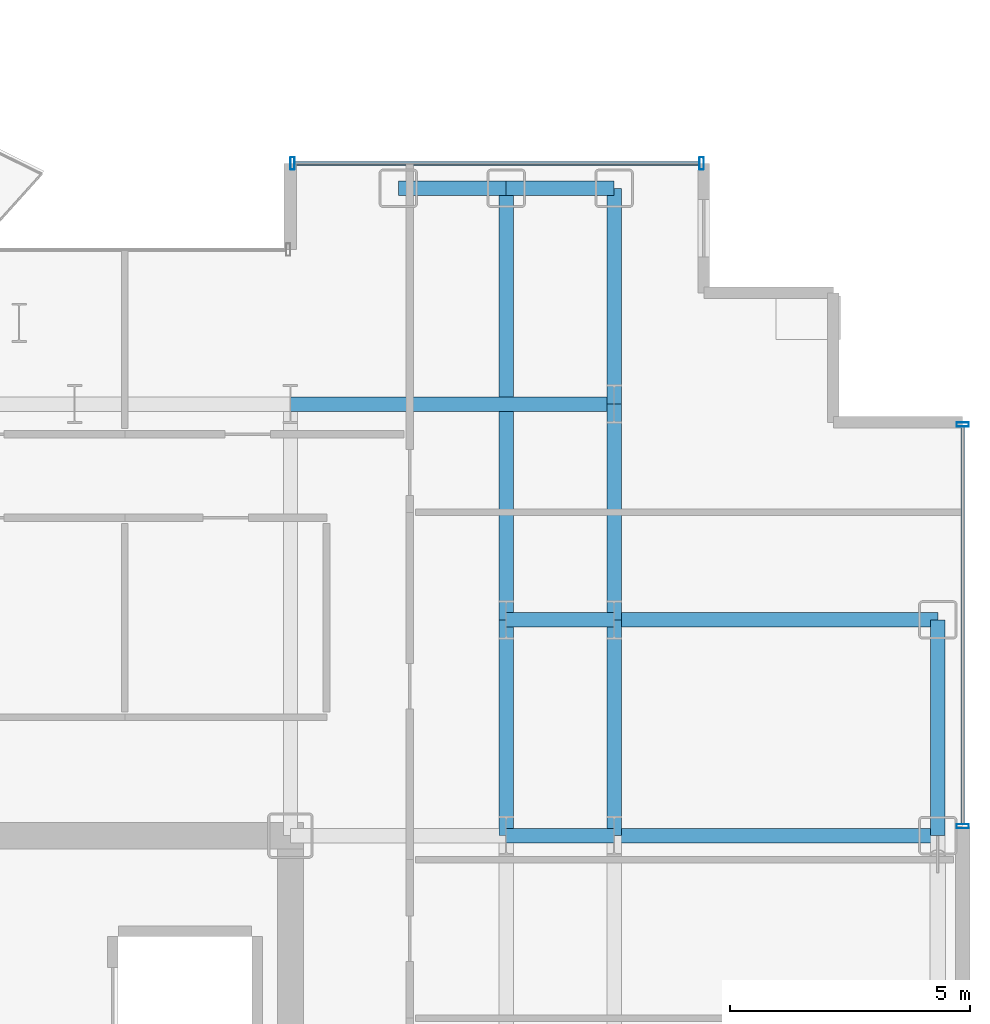
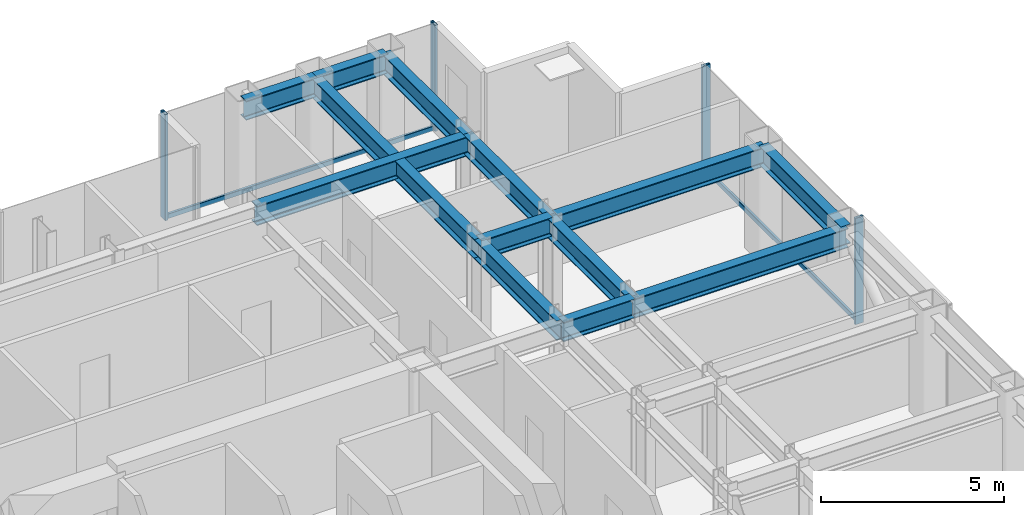
# One storey, part 16 of 26: 13 beams, 6 members, 2 elements without a shape of their own.
"""IFC4 building model written with IfcOpenShell, lengths in metres."""

from ifc_helpers import new_model, si_unit, direction, frame, origin, origin_2d, place, context, subcontext, project, spatial, hollow_rectangle, i_section, extrude, source, transform, mapped, material, layer, layer_set, material_profile, profile_set, type_object, element, aggregate, save


model = new_model("IFC4")

# Units and contexts
model_context = context("Model", 3, precision=1e-05, world=origin(), true_north=direction((0.0, 1.0)))
body_context = subcontext(model_context, "Body", "Model", "MODEL_VIEW")
ifc_project = project(units=[si_unit("LENGTHUNIT", "METRE"), si_unit("AREAUNIT", "SQUARE_METRE"), si_unit("VOLUMEUNIT", "CUBIC_METRE"), si_unit("PLANEANGLEUNIT", "RADIAN"), si_unit("MASSUNIT", "GRAM", prefix="KILO")], contexts=[model_context])

# Site, building, storey
site_placement = place(None, origin())
site = spatial("IfcSite", under=ifc_project, at=site_placement, CompositionType="ELEMENT")
building_placement = place(site_placement, origin())
building = spatial("IfcBuilding", under=site, at=building_placement, Name="Nefas-Gora Pilgrimage Tower", CompositionType="ELEMENT")
storey_placement = place(building_placement, frame((0.0, 0.0, 171.60009765625)))
storey = spatial("IfcBuildingStorey", under=building, at=storey_placement, Name="L42", CompositionType="ELEMENT", Elevation=171.60009765625)

# Beams
ifc_material_1 = material(Name="Steel S355", Category="steel")
ifc_material_profile_1 = material_profile(ifc_material_1, i_section(OverallWidth=0.300048828125, OverallDepth=0.64990234375, WebThickness=0.01611328125, FlangeThickness=0.031005859375, FilletRadius=0.027099609375, at=origin_2d()), Name="HEB 650")
ifc_profile_set_1 = profile_set([ifc_material_profile_1], Name="Steel S355")
beam_type_1 = type_object("IfcBeamType", Name="BM-SPN-HEB500", PredefinedType="SPANDREL", material=ifc_profile_set_1)
shared_shape_1 = source(origin(), body_context, "Body", "SweptSolid", [
    extrude(i_section(OverallWidth=0.300048828125, OverallDepth=0.64990234375, WebThickness=0.01611328125, FlangeThickness=0.031005859375, FilletRadius=0.027099609375, at=origin_2d()), origin(), (0.0, 0.0, 1.0), 4.5),
])
beam_1_placement = place(storey_placement, frame((24.75, 9.0, 3.224853515625), z_axis=(0.0, 1.0, 0.0), x_axis=(-1.0, 0.0, 0.0)))
element("IfcBeam", 1, at=beam_1_placement, inside=storey, type_object=beam_type_1, Name="L42 SP-02 beam", PredefinedType="SPANDREL", context=body_context, shape_type="MappedRepresentation", body=[
    mapped(shared_shape_1, transform((0.0, 0.0, 0.0), x_axis=(1.0, 0.0, 0.0), y_axis=(0.0, 1.0, 0.0), z_axis=(0.0, 0.0, 1.0), scale=1.0)),
])
ifc_material_profile_2 = material_profile(ifc_material_1, i_section(OverallWidth=0.300048828125, OverallDepth=0.64990234375, WebThickness=0.01611328125, FlangeThickness=0.031005859375, FilletRadius=0.027099609375, at=origin_2d()), Name="HEB 650")
ifc_profile_set_2 = profile_set([ifc_material_profile_2], Name="Steel S355")
beam_type_2 = type_object("IfcBeamType", Name="BM-GIR-HEB650", PredefinedType="BEAM", material=ifc_profile_set_2)
shared_shape_2 = source(origin(), body_context, "Body", "SweptSolid", [
    extrude(i_section(OverallWidth=0.300048828125, OverallDepth=0.64990234375, WebThickness=0.01611328125, FlangeThickness=0.031005859375, FilletRadius=0.027099609375, at=origin_2d()), origin(), (0.0, 0.0, 1.0), 9.0),
])
beam_2_placement = place(storey_placement, frame((15.75, 13.5, 3.224853515625), z_axis=(0.0, 1.0, 0.0), x_axis=(-1.0, 0.0, 0.0)))
element("IfcBeam", 2, at=beam_2_placement, inside=storey, type_object=beam_type_2, Name="L42 G-03 beam", PredefinedType="BEAM", context=body_context, shape_type="MappedRepresentation", body=[
    mapped(shared_shape_2, transform((0.0, 0.0, 0.0), x_axis=(1.0, 0.0, 0.0), y_axis=(0.0, 1.0, 0.0), z_axis=(0.0, 0.0, 1.0), scale=1.0)),
])
shared_shape_3 = source(origin(), body_context, "Body", "SweptSolid", [
    extrude(i_section(OverallWidth=0.300048828125, OverallDepth=0.64990234375, WebThickness=0.01611328125, FlangeThickness=0.031005859375, FilletRadius=0.027099609375, at=origin_2d()), origin(), (0.0, 0.0, 1.0), 4.5),
])
for number, where, z_axis, x_axis, name in (
    (3, (15.75, 9.0, 3.224853515625), (0.0, 1.0, 0.0), (-1.0, 0.0, 0.0), "L42 G-03 beam"),
    (4, (18.0, 9.0, 3.224853515625), (0.0, 1.0, 0.0), (-1.0, 0.0, 0.0), "L42 G-03 beam"),
    (5, (18.0, 13.5, 3.224853515625), (0.0, 1.0, 0.0), (-1.0, 0.0, 0.0), "L42 G-03 beam"),
    (6, (18.0, 18.0, 3.224853515625), (0.0, 1.0, 0.0), (-1.0, 0.0, 0.0), "L42 G-03 beam"),
):
    element("IfcBeam", number, at=place(storey_placement, frame(where, z_axis=z_axis, x_axis=x_axis)), inside=storey, type_object=beam_type_2, Name=name, PredefinedType="BEAM", context=body_context, shape_type="MappedRepresentation", body=[
        mapped(shared_shape_3, transform((0.0, 0.0, 0.0), x_axis=(1.0, 0.0, 0.0), y_axis=(0.0, 1.0, 0.0), z_axis=(0.0, 0.0, 1.0), scale=1.0)),
    ])
shared_shape_4 = source(origin(), body_context, "Body", "SweptSolid", [
    extrude(i_section(OverallWidth=0.300048828125, OverallDepth=0.64990234375, WebThickness=0.01611328125, FlangeThickness=0.031005859375, FilletRadius=0.027099609375, at=origin_2d()), origin(), (0.0, 0.0, 1.0), 6.75),
])
for number, where, z_axis, x_axis, name in (
    (7, (11.25, 18.0, 3.224853515625), (1.0, 0.0, 0.0), (0.0, 1.0, 0.0), "L42 G-03 beam"),
    (8, (18.0, 9.0, 3.224853515625), (1.0, 0.0, 0.0), (0.0, 1.0, 0.0), "L42 G-03 beam"),
    (9, (18.0, 13.5, 3.224853515625), (1.0, 0.0, 0.0), (0.0, 1.0, 0.0), "L42 G-03 beam"),
):
    element("IfcBeam", number, at=place(storey_placement, frame(where, z_axis=z_axis, x_axis=x_axis)), inside=storey, type_object=beam_type_2, Name=name, PredefinedType="BEAM", context=body_context, shape_type="MappedRepresentation", body=[
        mapped(shared_shape_4, transform((0.0, 0.0, 0.0), x_axis=(1.0, 0.0, 0.0), y_axis=(0.0, 1.0, 0.0), z_axis=(0.0, 0.0, 1.0), scale=1.0)),
    ])
shared_shape_5 = source(origin(), body_context, "Body", "SweptSolid", [
    extrude(i_section(OverallWidth=0.300048828125, OverallDepth=0.64990234375, WebThickness=0.01611328125, FlangeThickness=0.031005859375, FilletRadius=0.027099609375, at=origin_2d()), origin(), (0.0, 0.0, 1.0), 2.25),
])
for number, where, z_axis, x_axis, name in (
    (10, (13.5, 22.5, 3.224853515625), (1.0, 0.0, 0.0), (0.0, 1.0, 0.0), "L42 SP-02 beam"),
    (11, (15.75, 22.5, 3.224853515625), (1.0, 0.0, 0.0), (0.0, 1.0, 0.0), "L42 SP-02 beam"),
):
    element("IfcBeam", number, at=place(storey_placement, frame(where, z_axis=z_axis, x_axis=x_axis)), inside=storey, type_object=beam_type_1, Name=name, PredefinedType="SPANDREL", context=body_context, shape_type="MappedRepresentation", body=[
        mapped(shared_shape_5, transform((0.0, 0.0, 0.0), x_axis=(1.0, 0.0, 0.0), y_axis=(0.0, 1.0, 0.0), z_axis=(0.0, 0.0, 1.0), scale=1.0)),
    ])
shared_shape_6 = source(origin(), body_context, "Body", "SweptSolid", [
    extrude(i_section(OverallWidth=0.300048828125, OverallDepth=0.64990234375, WebThickness=0.01611328125, FlangeThickness=0.031005859375, FilletRadius=0.027099609375, at=origin_2d()), origin(), (0.0, 0.0, 1.0), 2.25),
])
for number, where, z_axis, x_axis, name in (
    (12, (15.75, 9.0, 3.224853515625), (1.0, 0.0, 0.0), (0.0, 1.0, 0.0), "L42 G-03 beam"),
    (13, (15.75, 13.5, 3.224853515625), (1.0, 0.0, 0.0), (0.0, 1.0, 0.0), "L42 G-03 beam"),
):
    element("IfcBeam", number, at=place(storey_placement, frame(where, z_axis=z_axis, x_axis=x_axis)), inside=storey, type_object=beam_type_2, Name=name, PredefinedType="BEAM", context=body_context, shape_type="MappedRepresentation", body=[
        mapped(shared_shape_6, transform((0.0, 0.0, 0.0), x_axis=(1.0, 0.0, 0.0), y_axis=(0.0, 1.0, 0.0), z_axis=(0.0, 0.0, 1.0), scale=1.0)),
    ])

# Curtain wall, member
ifc_material_2 = material(Name="Dark ceramic-fritted solar-control aluminium-glass curtain wall", Category="aluminium")
ifc_layer = layer(ifc_material_2, 0.219970703125)
ifc_layer_set = layer_set([ifc_layer], Name="Dark ceramic-fritted solar-control aluminium-glass curtain wall")
curtain_wall_type = type_object("IfcCurtainWallType", Name="CW-SYS-3", PredefinedType="NOTDEFINED", material=ifc_layer_set)
curtain_wall_1_placement = place(storey_placement, origin())
curtain_wall_1 = element("IfcCurtainWall", 14, at=curtain_wall_1_placement, inside=storey, type_object=curtain_wall_type, Name="L42 Unitised Curtain Wall CW3", PredefinedType="NOTDEFINED")
ifc_material_3 = material(Name="Anodised architectural aluminium", Category="aluminium")
ifc_material_profile_3 = material_profile(ifc_material_3, hollow_rectangle(XDim=0.080078125, YDim=0.159912109375, WallThickness=0.00439453125, InnerFilletRadius=0.00439453125, OuterFilletRadius=0.009033203125, at=origin_2d()), Name="ALU TRANSOM 80x160")
ifc_profile_set_3 = profile_set([ifc_material_profile_3], Name="Anodised architectural aluminium")
member_type_1 = type_object("IfcMemberType", Name="CWM-TRN-3", PredefinedType="USERDEFINED", material=ifc_profile_set_3)
shared_shape_7 = source(origin(), body_context, "Body", "SweptSolid", [
    extrude(hollow_rectangle(XDim=0.080078125, YDim=0.159912109375, WallThickness=0.00439453125, InnerFilletRadius=0.00439453125, OuterFilletRadius=0.009033203125, at=origin_2d()), origin(), (0.0, 0.0, 1.0), 8.43994140625),
])
member_1_placement = place(storey_placement, frame((19.780029296875, 23.02001953125, 0.0498046875), z_axis=(-1.0, 0.0, 0.0), x_axis=(0.0, -1.0, 0.0)))
member_1 = element("IfcMember", 15, at=member_1_placement, type_object=member_type_1, Name="CW3 Spandrel Transom", ObjectType="TRANSOM", PredefinedType="USERDEFINED", context=body_context, shape_type="MappedRepresentation", body=[
    mapped(shared_shape_7, transform((0.0, 0.0, 0.0), x_axis=(1.0, 0.0, 0.0), y_axis=(0.0, 1.0, 0.0), z_axis=(0.0, 0.0, 1.0), scale=1.0)),
])

# Curtain wall, members
curtain_wall_2_placement = place(storey_placement, origin())
curtain_wall_2 = element("IfcCurtainWall", 16, at=curtain_wall_2_placement, inside=storey, type_object=curtain_wall_type, Name="L42 Unitised Curtain Wall CW3", PredefinedType="NOTDEFINED")
shared_shape_8 = source(origin(), body_context, "Body", "SweptSolid", [
    extrude(hollow_rectangle(XDim=0.080078125, YDim=0.159912109375, WallThickness=0.00439453125, InnerFilletRadius=0.00439453125, OuterFilletRadius=0.009033203125, at=origin_2d()), origin(), (0.0, 0.0, 1.0), 8.2900390625),
])
member_2_placement = place(storey_placement, frame((25.27001953125, 9.239990234375, 0.0498046875), z_axis=(0.0, 1.0, 0.0), x_axis=(-1.0, 0.0, 0.0)))
member_2 = element("IfcMember", 17, at=member_2_placement, type_object=member_type_1, Name="CW3 Spandrel Transom", ObjectType="TRANSOM", PredefinedType="USERDEFINED", context=body_context, shape_type="MappedRepresentation", body=[
    mapped(shared_shape_8, transform((0.0, 0.0, 0.0), x_axis=(1.0, 0.0, 0.0), y_axis=(0.0, 1.0, 0.0), z_axis=(0.0, 0.0, 1.0), scale=1.0)),
])
ifc_material_profile_4 = material_profile(ifc_material_3, hollow_rectangle(XDim=0.090087890625, YDim=0.260009765625, WallThickness=0.006103515625, InnerFilletRadius=0.006103515625, OuterFilletRadius=0.011962890625, at=origin_2d()), Name="ALU MULLION 90x260")
ifc_profile_set_4 = profile_set([ifc_material_profile_4], Name="Anodised architectural aluminium")
member_type_2 = type_object("IfcMemberType", Name="CWM-MUL-3", PredefinedType="MULLION", material=ifc_profile_set_4)
shared_shape_9 = source(origin(), body_context, "Body", "SweptSolid", [
    extrude(hollow_rectangle(XDim=0.090087890625, YDim=0.260009765625, WallThickness=0.006103515625, InnerFilletRadius=0.006103515625, OuterFilletRadius=0.011962890625, at=origin_2d()), origin(), (0.0, 0.0, 1.0), 3.5498046875),
])
member_3_placement = place(storey_placement, frame((25.27001953125, 9.195068359375, 0.0), z_axis=(0.0, 0.0, 1.0), x_axis=(0.0, 1.0, 0.0)))
member_3 = element("IfcMember", 18, at=member_3_placement, type_object=member_type_2, Name="CW3 Mullion 1", PredefinedType="MULLION", context=body_context, shape_type="MappedRepresentation", body=[
    mapped(shared_shape_9, transform((0.0, 0.0, 0.0), x_axis=(1.0, 0.0, 0.0), y_axis=(0.0, 1.0, 0.0), z_axis=(0.0, 0.0, 1.0), scale=1.0)),
])
member_4_placement = place(storey_placement, frame((25.27001953125, 17.574951171875, 0.0), z_axis=(0.0, 0.0, 1.0), x_axis=(0.0, 1.0, 0.0)))
member_4 = element("IfcMember", 19, at=member_4_placement, type_object=member_type_2, Name="CW3 Mullion 2", PredefinedType="MULLION", context=body_context, shape_type="MappedRepresentation", body=[
    mapped(shared_shape_9, transform((0.0, 0.0, 0.0), x_axis=(1.0, 0.0, 0.0), y_axis=(0.0, 1.0, 0.0), z_axis=(0.0, 0.0, 1.0), scale=1.0)),
])
aggregate(curtain_wall_2, [member_3, member_4, member_2])

# Member
member_5_placement = place(storey_placement, frame((19.824951171875, 23.02001953125, 0.0), z_axis=(0.0, 0.0, 1.0), x_axis=(-1.0, 0.0, 0.0)))
member_5 = element("IfcMember", 20, at=member_5_placement, type_object=member_type_2, Name="CW3 Mullion 1", PredefinedType="MULLION", context=body_context, shape_type="MappedRepresentation", body=[
    mapped(shared_shape_9, transform((0.0, 0.0, 0.0), x_axis=(1.0, 0.0, 0.0), y_axis=(0.0, 1.0, 0.0), z_axis=(0.0, 0.0, 1.0), scale=1.0)),
])

member_6_placement = place(storey_placement, frame((11.294921875, 23.02001953125, 0.0), z_axis=(0.0, 0.0, 1.0), x_axis=(-1.0, 0.0, 0.0)))
member_6 = element("IfcMember", 21, at=member_6_placement, type_object=member_type_2, Name="CW3 Mullion 2", PredefinedType="MULLION", context=body_context, shape_type="MappedRepresentation", body=[
    mapped(shared_shape_9, transform((0.0, 0.0, 0.0), x_axis=(1.0, 0.0, 0.0), y_axis=(0.0, 1.0, 0.0), z_axis=(0.0, 0.0, 1.0), scale=1.0)),
])

aggregate(curtain_wall_1, [member_5, member_6, member_1])

save(model, "model.ifc")
